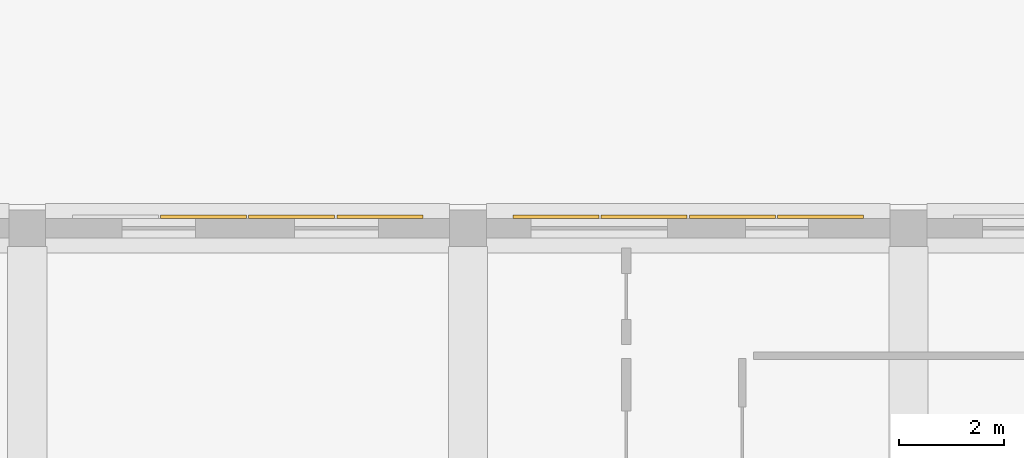
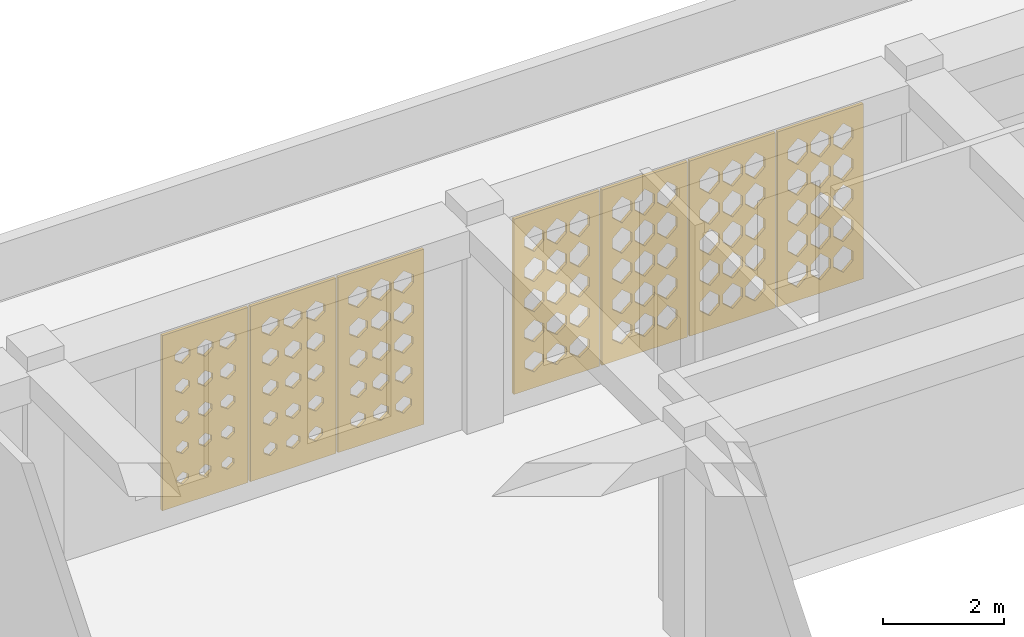
# One storey, part 42 of 47: 7 coverings.
"""IFC4 building model written with IfcOpenShell, lengths in metres."""

from ifc_helpers import new_model, si_unit, derived_unit, direction, frame, origin, place, context, subcontext, project, spatial, polyline, outline, extrude, material, layer, layer_set, type_object, element, save


model = new_model("IFC4")

# Units and contexts
model_context = context("Model", 3, precision=1e-05, world=origin(), true_north=direction((0.0, 1.0)))
body_context = subcontext(model_context, "Body", "Model", "MODEL_VIEW")
ifc_project = project(units=[si_unit("LENGTHUNIT", "METRE"), si_unit("AREAUNIT", "SQUARE_METRE"), si_unit("VOLUMEUNIT", "CUBIC_METRE"), si_unit("PLANEANGLEUNIT", "RADIAN"), si_unit("MASSUNIT", "GRAM", prefix="KILO"), derived_unit("THERMALTRANSMITTANCEUNIT", [(si_unit("POWERUNIT", "WATT"), 1), (si_unit("LENGTHUNIT", "METRE"), -2), (si_unit("THERMODYNAMICTEMPERATUREUNIT", "KELVIN"), -1)])], contexts=[model_context])

# Site, building, storey
site_placement = place(None, origin())
site = spatial("IfcSite", under=ifc_project, at=site_placement, CompositionType="ELEMENT")
building_placement = place(site_placement, origin())
building = spatial("IfcBuilding", under=site, at=building_placement, Name="Veybourne Emporium", CompositionType="ELEMENT")
storey_placement = place(building_placement, frame((0.0, 0.0, 23.39990234375)))
storey = spatial("IfcBuildingStorey", under=building, at=storey_placement, Name="L05", CompositionType="ELEMENT", Elevation=23.39990234375)

# Coverings
ifc_material = material(Name="Warm-White Perforated Aluminium Screen Alloy", Category="aluminium")
ifc_layer_1 = layer(ifc_material, 0.06005859375)
ifc_layer_set_1 = layer_set([ifc_layer_1], Name="Warm-White Perforated Aluminium Screen Alloy")
covering_type_1 = type_object("IfcCoveringType", Name="WaveScreen_SCR-01", PredefinedType="CLADDING", material=ifc_layer_set_1)
covering_1_placement = place(storey_placement, frame((53.760009765625, 86.64794921875, 1.830078125), z_axis=(0.0, -1.0, 0.0), x_axis=(1.0, 0.0, 0.0)))
element("IfcCovering", 1, at=covering_1_placement, inside=storey, type_object=covering_type_1, Name="L05 wave-perforated aluminium screen SCR-01 (37.2)", PredefinedType="CLADDING", context=body_context, shape_type="SweptSolid", body=[
    extrude(outline(polyline([(-0.81982421875, -1.77001953125), (0.81982421875, -1.77001953125), (0.81982421875, 1.77001953125), (-0.81982421875, 1.77001953125), (-0.81982421875, -1.77001953125)]), holes=[polyline([(-0.433349609375, -1.008544921875), (-0.2470703125, -1.15673828125), (-0.2470703125, -1.3232421875), (-0.433349609375, -1.471435546875), (-0.61962890625, -1.3232421875), (-0.61962890625, -1.15673828125), (-0.433349609375, -1.008544921875)]), polyline([(-0.433349609375, -0.376708984375), (-0.2470703125, -0.532470703125), (-0.2470703125, -0.70751953125), (-0.433349609375, -0.86328125), (-0.61962890625, -0.70751953125), (-0.61962890625, -0.532470703125), (-0.433349609375, -0.376708984375)]), polyline([(-0.433349609375, 0.25390625), (-0.2470703125, 0.09130859375), (-0.2470703125, -0.09130859375), (-0.433349609375, -0.25390625), (-0.61962890625, -0.09130859375), (-0.61962890625, 0.09130859375), (-0.433349609375, 0.25390625)]), polyline([(-0.433349609375, 0.882568359375), (-0.2470703125, 0.714599609375), (-0.2470703125, 0.525390625), (-0.433349609375, 0.357421875), (-0.61962890625, 0.525390625), (-0.61962890625, 0.714599609375), (-0.433349609375, 0.882568359375)]), polyline([(-0.433349609375, 1.506591796875), (-0.2470703125, 1.3359375), (-0.2470703125, 1.14404296875), (-0.433349609375, 0.973388671875), (-0.61962890625, 1.14404296875), (-0.61962890625, 1.3359375), (-0.433349609375, 1.506591796875)]), polyline([(0.0, -1.0029296875), (0.186279296875, -1.15478515625), (0.186279296875, -1.3251953125), (0.0, -1.47705078125), (-0.186279296875, -1.3251953125), (-0.186279296875, -1.15478515625), (0.0, -1.0029296875)]), polyline([(0.0, -0.37158203125), (0.186279296875, -0.530517578125), (0.186279296875, -0.70947265625), (0.0, -0.868408203125), (-0.186279296875, -0.70947265625), (-0.186279296875, -0.530517578125), (0.0, -0.37158203125)]), polyline([(0.0, 0.258056640625), (0.186279296875, 0.093017578125), (0.186279296875, -0.093017578125), (0.0, -0.258056640625), (-0.186279296875, -0.093017578125), (-0.186279296875, 0.093017578125), (0.0, 0.258056640625)]), polyline([(0.0, 0.8857421875), (0.186279296875, 0.715576171875), (0.186279296875, 0.5244140625), (0.0, 0.354248046875), (-0.186279296875, 0.5244140625), (-0.186279296875, 0.715576171875), (0.0, 0.8857421875)]), polyline([(0.0, 1.506591796875), (0.186279296875, 1.3359375), (0.186279296875, 1.14404296875), (0.0, 0.973388671875), (-0.186279296875, 1.14404296875), (-0.186279296875, 1.3359375), (0.0, 1.506591796875)]), polyline([(0.433349609375, -0.997802734375), (0.61962890625, -1.15283203125), (0.61962890625, -1.3271484375), (0.433349609375, -1.482421875), (0.2470703125, -1.3271484375), (0.2470703125, -1.15283203125), (0.433349609375, -0.997802734375)]), polyline([(0.433349609375, -0.3671875), (0.61962890625, -0.529052734375), (0.61962890625, -0.7109375), (0.433349609375, -0.872802734375), (0.2470703125, -0.7109375), (0.2470703125, -0.529052734375), (0.433349609375, -0.3671875)]), polyline([(0.433349609375, 0.26171875), (0.61962890625, 0.09423828125), (0.61962890625, -0.09423828125), (0.433349609375, -0.26171875), (0.2470703125, -0.09423828125), (0.2470703125, 0.09423828125), (0.433349609375, 0.26171875)]), polyline([(0.433349609375, 0.88671875), (0.61962890625, 0.716064453125), (0.61962890625, 0.52392578125), (0.433349609375, 0.353515625), (0.2470703125, 0.52392578125), (0.2470703125, 0.716064453125), (0.433349609375, 0.88671875)]), polyline([(0.433349609375, 1.506591796875), (0.61962890625, 1.3359375), (0.61962890625, 1.14404296875), (0.433349609375, 0.973388671875), (0.2470703125, 1.14404296875), (0.2470703125, 1.3359375), (0.433349609375, 1.506591796875)])]), origin(), (0.0, 0.0, 1.0), 0.06005859375),
])
ifc_layer_2 = layer(ifc_material, 0.06005859375)
ifc_layer_set_2 = layer_set([ifc_layer_2], Name="Warm-White Perforated Aluminium Screen Alloy")
covering_type_2 = type_object("IfcCoveringType", Name="WaveScreen_SCR-02", PredefinedType="CLADDING", material=ifc_layer_set_2)
covering_2_placement = place(storey_placement, frame((45.360107421875, 86.64794921875, 1.830078125), z_axis=(0.0, -1.0, 0.0), x_axis=(1.0, 0.0, 0.0)))
element("IfcCovering", 2, at=covering_2_placement, inside=storey, type_object=covering_type_2, Name="L05 wave-perforated aluminium screen SCR-02 (34.2)", PredefinedType="CLADDING", context=body_context, shape_type="SweptSolid", body=[
    extrude(outline(polyline([(-0.81982421875, -1.77001953125), (0.81982421875, -1.77001953125), (0.81982421875, 1.77001953125), (-0.81982421875, 1.77001953125), (-0.81982421875, -1.77001953125)]), holes=[polyline([(-0.433349609375, -1.117919921875), (-0.323486328125, -1.196044921875), (-0.323486328125, -1.283935546875), (-0.433349609375, -1.3623046875), (-0.543212890625, -1.283935546875), (-0.543212890625, -1.196044921875), (-0.433349609375, -1.117919921875)]), polyline([(-0.433349609375, -0.4892578125), (-0.31640625, -0.572998046875), (-0.31640625, -0.6669921875), (-0.433349609375, -0.750732421875), (-0.55029296875, -0.6669921875), (-0.55029296875, -0.572998046875), (-0.433349609375, -0.4892578125)]), polyline([(-0.433349609375, 0.14111328125), (-0.307861328125, 0.05078125), (-0.307861328125, -0.05078125), (-0.433349609375, -0.14111328125), (-0.55859375, -0.05078125), (-0.55859375, 0.05078125), (-0.433349609375, 0.14111328125)]), polyline([(-0.433349609375, 0.77294921875), (-0.298095703125, 0.675048828125), (-0.298095703125, 0.56494140625), (-0.433349609375, 0.467041015625), (-0.568603515625, 0.56494140625), (-0.568603515625, 0.675048828125), (-0.433349609375, 0.77294921875)]), polyline([(-0.433349609375, 1.406005859375), (-0.28759765625, 1.2998046875), (-0.28759765625, 1.18017578125), (-0.433349609375, 1.073974609375), (-0.5791015625, 1.18017578125), (-0.5791015625, 1.2998046875), (-0.433349609375, 1.406005859375)]), polyline([(0.0, -1.1142578125), (0.11279296875, -1.194580078125), (0.11279296875, -1.285400390625), (0.0, -1.36572265625), (-0.11279296875, -1.285400390625), (-0.11279296875, -1.194580078125), (0.0, -1.1142578125)]), polyline([(0.0, -0.48486328125), (0.12060546875, -0.5712890625), (0.12060546875, -0.668701171875), (0.0, -0.755126953125), (-0.12060546875, -0.668701171875), (-0.12060546875, -0.5712890625), (0.0, -0.48486328125)]), polyline([(0.0, 0.146240234375), (0.129638671875, 0.052490234375), (0.129638671875, -0.052490234375), (0.0, -0.146240234375), (-0.129638671875, -0.052490234375), (-0.129638671875, 0.052490234375), (0.0, 0.146240234375)]), polyline([(0.0, 0.77880859375), (0.139892578125, 0.677001953125), (0.139892578125, 0.56298828125), (0.0, 0.461181640625), (-0.139892578125, 0.56298828125), (-0.139892578125, 0.677001953125), (0.0, 0.77880859375)]), polyline([(0.0, 1.412109375), (0.15087890625, 1.302001953125), (0.15087890625, 1.177978515625), (0.0, 1.06787109375), (-0.15087890625, 1.177978515625), (-0.15087890625, 1.302001953125), (0.0, 1.412109375)]), polyline([(0.433349609375, -1.1103515625), (0.549560546875, -1.193359375), (0.549560546875, -1.28662109375), (0.433349609375, -1.36962890625), (0.317138671875, -1.28662109375), (0.317138671875, -1.193359375), (0.433349609375, -1.1103515625)]), polyline([(0.433349609375, -0.47998046875), (0.557861328125, -0.569580078125), (0.557861328125, -0.67041015625), (0.433349609375, -0.760009765625), (0.308837890625, -0.67041015625), (0.308837890625, -0.569580078125), (0.433349609375, -0.47998046875)]), polyline([(0.433349609375, 0.151611328125), (0.5673828125, 0.0546875), (0.5673828125, -0.0546875), (0.433349609375, -0.151611328125), (0.29931640625, -0.0546875), (0.29931640625, 0.0546875), (0.433349609375, 0.151611328125)]), polyline([(0.433349609375, 0.78466796875), (0.578125, 0.67919921875), (0.578125, 0.560791015625), (0.433349609375, 0.455322265625), (0.28857421875, 0.560791015625), (0.28857421875, 0.67919921875), (0.433349609375, 0.78466796875)]), polyline([(0.433349609375, 1.41845703125), (0.58935546875, 1.30419921875), (0.58935546875, 1.17578125), (0.433349609375, 1.0615234375), (0.27734375, 1.17578125), (0.27734375, 1.30419921875), (0.433349609375, 1.41845703125)])]), origin(), (0.0, 0.0, 1.0), 0.06005859375),
])
covering_3_placement = place(storey_placement, frame((55.43994140625, 86.64794921875, 1.830078125), z_axis=(0.0, -1.0, 0.0), x_axis=(1.0, 0.0, 0.0)))
element("IfcCovering", 3, at=covering_3_placement, inside=storey, type_object=covering_type_2, Name="L05 wave-perforated aluminium screen SCR-02 (37.3)", PredefinedType="CLADDING", context=body_context, shape_type="SweptSolid", body=[
    extrude(outline(polyline([(-0.81982421875, -1.77001953125), (0.81982421875, -1.77001953125), (0.81982421875, 1.77001953125), (-0.81982421875, 1.77001953125), (-0.81982421875, -1.77001953125)]), holes=[polyline([(-0.433349609375, -0.98876953125), (-0.2470703125, -1.1494140625), (-0.2470703125, -1.33056640625), (-0.433349609375, -1.4912109375), (-0.61962890625, -1.33056640625), (-0.61962890625, -1.1494140625), (-0.433349609375, -0.98876953125)]), polyline([(-0.433349609375, -0.359619140625), (-0.2470703125, -0.526123046875), (-0.2470703125, -0.7138671875), (-0.433349609375, -0.88037109375), (-0.61962890625, -0.7138671875), (-0.61962890625, -0.526123046875), (-0.433349609375, -0.359619140625)]), polyline([(-0.433349609375, 0.2666015625), (-0.2470703125, 0.095947265625), (-0.2470703125, -0.095947265625), (-0.433349609375, -0.2666015625), (-0.61962890625, -0.095947265625), (-0.61962890625, 0.095947265625), (-0.433349609375, 0.2666015625)]), polyline([(-0.433349609375, 0.88671875), (-0.2470703125, 0.716064453125), (-0.2470703125, 0.52392578125), (-0.433349609375, 0.353515625), (-0.61962890625, 0.52392578125), (-0.61962890625, 0.716064453125), (-0.433349609375, 0.88671875)]), polyline([(-0.433349609375, 1.506591796875), (-0.2470703125, 1.3359375), (-0.2470703125, 1.14404296875), (-0.433349609375, 0.973388671875), (-0.61962890625, 1.14404296875), (-0.61962890625, 1.3359375), (-0.433349609375, 1.506591796875)]), polyline([(0.0, -0.984375), (0.186279296875, -1.14794921875), (0.186279296875, -1.33203125), (0.0, -1.49560546875), (-0.186279296875, -1.33203125), (-0.186279296875, -1.14794921875), (0.0, -0.984375)]), polyline([(0.0, -0.356201171875), (0.186279296875, -0.52490234375), (0.186279296875, -0.715087890625), (0.0, -0.8837890625), (-0.186279296875, -0.715087890625), (-0.186279296875, -0.52490234375), (0.0, -0.356201171875)]), polyline([(0.0, 0.2666015625), (0.186279296875, 0.095947265625), (0.186279296875, -0.095947265625), (0.0, -0.2666015625), (-0.186279296875, -0.095947265625), (-0.186279296875, 0.095947265625), (0.0, 0.2666015625)]), polyline([(0.0, 0.88671875), (0.186279296875, 0.716064453125), (0.186279296875, 0.52392578125), (0.0, 0.353515625), (-0.186279296875, 0.52392578125), (-0.186279296875, 0.716064453125), (0.0, 0.88671875)]), polyline([(0.0, 1.506591796875), (0.186279296875, 1.3359375), (0.186279296875, 1.14404296875), (0.0, 0.973388671875), (-0.186279296875, 1.14404296875), (-0.186279296875, 1.3359375), (0.0, 1.506591796875)]), polyline([(0.433349609375, -0.98046875), (0.61962890625, -1.146484375), (0.61962890625, -1.33349609375), (0.433349609375, -1.49951171875), (0.2470703125, -1.33349609375), (0.2470703125, -1.146484375), (0.433349609375, -0.98046875)]), polyline([(0.433349609375, -0.353515625), (0.61962890625, -0.52392578125), (0.61962890625, -0.716064453125), (0.433349609375, -0.88671875), (0.2470703125, -0.716064453125), (0.2470703125, -0.52392578125), (0.433349609375, -0.353515625)]), polyline([(0.433349609375, 0.2666015625), (0.61962890625, 0.095947265625), (0.61962890625, -0.095947265625), (0.433349609375, -0.2666015625), (0.2470703125, -0.095947265625), (0.2470703125, 0.095947265625), (0.433349609375, 0.2666015625)]), polyline([(0.433349609375, 0.88671875), (0.61962890625, 0.716064453125), (0.61962890625, 0.52392578125), (0.433349609375, 0.353515625), (0.2470703125, 0.52392578125), (0.2470703125, 0.716064453125), (0.433349609375, 0.88671875)]), polyline([(0.433349609375, 1.506591796875), (0.61962890625, 1.3359375), (0.61962890625, 1.14404296875), (0.433349609375, 0.973388671875), (0.2470703125, 1.14404296875), (0.2470703125, 1.3359375), (0.433349609375, 1.506591796875)])]), origin(), (0.0, 0.0, 1.0), 0.06005859375),
])
ifc_layer_3 = layer(ifc_material, 0.06005859375)
ifc_layer_set_3 = layer_set([ifc_layer_3], Name="Warm-White Perforated Aluminium Screen Alloy")
covering_type_3 = type_object("IfcCoveringType", Name="WaveScreen_SCR-03", PredefinedType="CLADDING", material=ifc_layer_set_3)
covering_4_placement = place(storey_placement, frame((47.0400390625, 86.64794921875, 1.830078125), z_axis=(0.0, -1.0, 0.0), x_axis=(1.0, 0.0, 0.0)))
element("IfcCovering", 4, at=covering_4_placement, inside=storey, type_object=covering_type_3, Name="L05 wave-perforated aluminium screen SCR-03 (34.3)", PredefinedType="CLADDING", context=body_context, shape_type="SweptSolid", body=[
    extrude(outline(polyline([(-0.81982421875, -1.77001953125), (0.81982421875, -1.77001953125), (0.81982421875, 1.77001953125), (-0.81982421875, 1.77001953125), (-0.81982421875, -1.77001953125)]), holes=[polyline([(-0.433349609375, -1.101806640625), (-0.310302734375, -1.190185546875), (-0.310302734375, -1.289794921875), (-0.433349609375, -1.378173828125), (-0.556396484375, -1.289794921875), (-0.556396484375, -1.190185546875), (-0.433349609375, -1.101806640625)]), polyline([(-0.433349609375, -0.47021484375), (-0.30078125, -0.566162109375), (-0.30078125, -0.673828125), (-0.433349609375, -0.769775390625), (-0.56591796875, -0.673828125), (-0.56591796875, -0.566162109375), (-0.433349609375, -0.47021484375)]), polyline([(-0.433349609375, 0.16259765625), (-0.290283203125, 0.05859375), (-0.290283203125, -0.05859375), (-0.433349609375, -0.16259765625), (-0.576416015625, -0.05859375), (-0.576416015625, 0.05859375), (-0.433349609375, 0.16259765625)]), polyline([(-0.433349609375, 0.79638671875), (-0.279052734375, 0.68359375), (-0.279052734375, 0.556396484375), (-0.433349609375, 0.443603515625), (-0.587646484375, 0.556396484375), (-0.587646484375, 0.68359375), (-0.433349609375, 0.79638671875)]), polyline([(-0.433349609375, 1.430419921875), (-0.267333984375, 1.30859375), (-0.267333984375, 1.17138671875), (-0.433349609375, 1.049560546875), (-0.59912109375, 1.17138671875), (-0.59912109375, 1.30859375), (-0.433349609375, 1.430419921875)]), polyline([(0.0, -1.0966796875), (0.127197265625, -1.1884765625), (0.127197265625, -1.29150390625), (0.0, -1.38330078125), (-0.127197265625, -1.29150390625), (-0.127197265625, -1.1884765625), (0.0, -1.0966796875)]), polyline([(0.0, -0.464599609375), (0.13720703125, -0.564208984375), (0.13720703125, -0.67578125), (0.0, -0.775390625), (-0.13720703125, -0.67578125), (-0.13720703125, -0.564208984375), (0.0, -0.464599609375)]), polyline([(0.0, 0.168701171875), (0.14794921875, 0.060791015625), (0.14794921875, -0.060791015625), (0.0, -0.168701171875), (-0.14794921875, -0.060791015625), (-0.14794921875, 0.060791015625), (0.0, 0.168701171875)]), polyline([(0.0, 0.802734375), (0.159423828125, 0.685791015625), (0.159423828125, 0.55419921875), (0.0, 0.437255859375), (-0.159423828125, 0.55419921875), (-0.159423828125, 0.685791015625), (0.0, 0.802734375)]), polyline([(0.0, 1.43701171875), (0.171142578125, 1.310791015625), (0.171142578125, 1.169189453125), (0.0, 1.04296875), (-0.171142578125, 1.169189453125), (-0.171142578125, 1.310791015625), (0.0, 1.43701171875)]), polyline([(0.433349609375, -1.091552734375), (0.564697265625, -1.1865234375), (0.564697265625, -1.29345703125), (0.433349609375, -1.388427734375), (0.3017578125, -1.29345703125), (0.3017578125, -1.1865234375), (0.433349609375, -1.091552734375)]), polyline([(0.433349609375, -0.458740234375), (0.5751953125, -0.56201171875), (0.5751953125, -0.677978515625), (0.433349609375, -0.78125), (0.29150390625, -0.677978515625), (0.29150390625, -0.56201171875), (0.433349609375, -0.458740234375)]), polyline([(0.433349609375, 0.1748046875), (0.58642578125, 0.06298828125), (0.58642578125, -0.06298828125), (0.433349609375, -0.1748046875), (0.2802734375, -0.06298828125), (0.2802734375, 0.06298828125), (0.433349609375, 0.1748046875)]), polyline([(0.433349609375, 0.80908203125), (0.597900390625, 0.68798828125), (0.597900390625, 0.552001953125), (0.433349609375, 0.430908203125), (0.2685546875, 0.552001953125), (0.2685546875, 0.68798828125), (0.433349609375, 0.80908203125)]), polyline([(0.433349609375, 1.443359375), (0.609619140625, 1.313232421875), (0.609619140625, 1.166748046875), (0.433349609375, 1.03662109375), (0.2568359375, 1.166748046875), (0.2568359375, 1.313232421875), (0.433349609375, 1.443359375)])]), origin(), (0.0, 0.0, 1.0), 0.06005859375),
])
covering_5_placement = place(storey_placement, frame((57.1201171875, 86.64794921875, 1.830078125), z_axis=(0.0, -1.0, 0.0), x_axis=(1.0, 0.0, 0.0)))
element("IfcCovering", 5, at=covering_5_placement, inside=storey, type_object=covering_type_3, Name="L05 wave-perforated aluminium screen SCR-03 (37.4)", PredefinedType="CLADDING", context=body_context, shape_type="SweptSolid", body=[
    extrude(outline(polyline([(-0.81982421875, -1.77001953125), (0.81982421875, -1.77001953125), (0.81982421875, 1.77001953125), (-0.81982421875, 1.77001953125), (-0.81982421875, -1.77001953125)]), holes=[polyline([(-0.433349609375, -0.97412109375), (-0.2470703125, -1.144287109375), (-0.2470703125, -1.335693359375), (-0.433349609375, -1.505859375), (-0.61962890625, -1.335693359375), (-0.61962890625, -1.144287109375), (-0.433349609375, -0.97412109375)]), polyline([(-0.433349609375, -0.353515625), (-0.2470703125, -0.52392578125), (-0.2470703125, -0.716064453125), (-0.433349609375, -0.88671875), (-0.61962890625, -0.716064453125), (-0.61962890625, -0.52392578125), (-0.433349609375, -0.353515625)]), polyline([(-0.433349609375, 0.2666015625), (-0.2470703125, 0.095947265625), (-0.2470703125, -0.095947265625), (-0.433349609375, -0.2666015625), (-0.61962890625, -0.095947265625), (-0.61962890625, 0.095947265625), (-0.433349609375, 0.2666015625)]), polyline([(-0.433349609375, 0.88671875), (-0.2470703125, 0.716064453125), (-0.2470703125, 0.52392578125), (-0.433349609375, 0.353515625), (-0.61962890625, 0.52392578125), (-0.61962890625, 0.716064453125), (-0.433349609375, 0.88671875)]), polyline([(-0.433349609375, 1.506591796875), (-0.2470703125, 1.3359375), (-0.2470703125, 1.14404296875), (-0.433349609375, 0.973388671875), (-0.61962890625, 1.14404296875), (-0.61962890625, 1.3359375), (-0.433349609375, 1.506591796875)]), polyline([(0.0, -0.973388671875), (0.186279296875, -1.14404296875), (0.186279296875, -1.3359375), (0.0, -1.506591796875), (-0.186279296875, -1.3359375), (-0.186279296875, -1.14404296875), (0.0, -0.973388671875)]), polyline([(0.0, -0.353515625), (0.186279296875, -0.52392578125), (0.186279296875, -0.716064453125), (0.0, -0.88671875), (-0.186279296875, -0.716064453125), (-0.186279296875, -0.52392578125), (0.0, -0.353515625)]), polyline([(0.0, 0.2666015625), (0.186279296875, 0.095947265625), (0.186279296875, -0.095947265625), (0.0, -0.2666015625), (-0.186279296875, -0.095947265625), (-0.186279296875, 0.095947265625), (0.0, 0.2666015625)]), polyline([(0.0, 0.88671875), (0.186279296875, 0.716064453125), (0.186279296875, 0.52392578125), (0.0, 0.353515625), (-0.186279296875, 0.52392578125), (-0.186279296875, 0.716064453125), (0.0, 0.88671875)]), polyline([(0.0, 1.506591796875), (0.186279296875, 1.3359375), (0.186279296875, 1.14404296875), (0.0, 0.973388671875), (-0.186279296875, 1.14404296875), (-0.186279296875, 1.3359375), (0.0, 1.506591796875)]), polyline([(0.433349609375, -0.973388671875), (0.61962890625, -1.14404296875), (0.61962890625, -1.3359375), (0.433349609375, -1.506591796875), (0.2470703125, -1.3359375), (0.2470703125, -1.14404296875), (0.433349609375, -0.973388671875)]), polyline([(0.433349609375, -0.353515625), (0.61962890625, -0.52392578125), (0.61962890625, -0.716064453125), (0.433349609375, -0.88671875), (0.2470703125, -0.716064453125), (0.2470703125, -0.52392578125), (0.433349609375, -0.353515625)]), polyline([(0.433349609375, 0.2666015625), (0.61962890625, 0.095947265625), (0.61962890625, -0.095947265625), (0.433349609375, -0.2666015625), (0.2470703125, -0.095947265625), (0.2470703125, 0.095947265625), (0.433349609375, 0.2666015625)]), polyline([(0.433349609375, 0.88671875), (0.61962890625, 0.716064453125), (0.61962890625, 0.52392578125), (0.433349609375, 0.353515625), (0.2470703125, 0.52392578125), (0.2470703125, 0.716064453125), (0.433349609375, 0.88671875)]), polyline([(0.433349609375, 1.506591796875), (0.61962890625, 1.3359375), (0.61962890625, 1.14404296875), (0.433349609375, 0.973388671875), (0.2470703125, 1.14404296875), (0.2470703125, 1.3359375), (0.433349609375, 1.506591796875)])]), origin(), (0.0, 0.0, 1.0), 0.06005859375),
])
ifc_layer_4 = layer(ifc_material, 0.06005859375)
ifc_layer_set_4 = layer_set([ifc_layer_4], Name="Warm-White Perforated Aluminium Screen Alloy")
covering_type_4 = type_object("IfcCoveringType", Name="WaveScreen_SCR-04", PredefinedType="CLADDING", material=ifc_layer_set_4)
covering_6_placement = place(storey_placement, frame((48.719970703125, 86.64794921875, 1.830078125), z_axis=(0.0, -1.0, 0.0), x_axis=(1.0, 0.0, 0.0)))
element("IfcCovering", 6, at=covering_6_placement, inside=storey, type_object=covering_type_4, Name="L05 wave-perforated aluminium screen SCR-04 (34.4)", PredefinedType="CLADDING", context=body_context, shape_type="SweptSolid", body=[
    extrude(outline(polyline([(-0.81982421875, -1.77001953125), (0.81982421875, -1.77001953125), (0.81982421875, 1.77001953125), (-0.81982421875, 1.77001953125), (-0.81982421875, -1.77001953125)]), holes=[polyline([(-0.433349609375, -1.080810546875), (-0.293212890625, -1.1826171875), (-0.293212890625, -1.29736328125), (-0.433349609375, -1.399169921875), (-0.573486328125, -1.29736328125), (-0.573486328125, -1.1826171875), (-0.433349609375, -1.080810546875)]), polyline([(-0.433349609375, -0.447265625), (-0.281982421875, -0.557861328125), (-0.281982421875, -0.68212890625), (-0.433349609375, -0.792724609375), (-0.584716796875, -0.68212890625), (-0.584716796875, -0.557861328125), (-0.433349609375, -0.447265625)]), polyline([(-0.433349609375, 0.186767578125), (-0.2705078125, 0.0673828125), (-0.2705078125, -0.0673828125), (-0.433349609375, -0.186767578125), (-0.59619140625, -0.0673828125), (-0.59619140625, 0.0673828125), (-0.433349609375, 0.186767578125)]), polyline([(-0.433349609375, 0.821044921875), (-0.2587890625, 0.6923828125), (-0.2587890625, 0.547607421875), (-0.433349609375, 0.4189453125), (-0.60791015625, 0.547607421875), (-0.60791015625, 0.6923828125), (-0.433349609375, 0.821044921875)]), polyline([(-0.433349609375, 1.455078125), (-0.247314453125, 1.3173828125), (-0.247314453125, 1.16259765625), (-0.433349609375, 1.02490234375), (-0.619384765625, 1.16259765625), (-0.619384765625, 1.3173828125), (-0.433349609375, 1.455078125)]), polyline([(0.0, -1.07470703125), (0.14501953125, -1.180419921875), (0.14501953125, -1.299560546875), (0.0, -1.4052734375), (-0.14501953125, -1.299560546875), (-0.14501953125, -1.180419921875), (0.0, -1.07470703125)]), polyline([(0.0, -0.44091796875), (0.156494140625, -0.5556640625), (0.156494140625, -0.684326171875), (0.0, -0.799072265625), (-0.156494140625, -0.684326171875), (-0.156494140625, -0.5556640625), (0.0, -0.44091796875)]), polyline([(0.0, 0.193359375), (0.168212890625, 0.069580078125), (0.168212890625, -0.069580078125), (0.0, -0.193359375), (-0.168212890625, -0.069580078125), (-0.168212890625, 0.069580078125), (0.0, 0.193359375)]), polyline([(0.0, 0.827392578125), (0.1796875, 0.694580078125), (0.1796875, 0.54541015625), (0.0, 0.41259765625), (-0.1796875, 0.54541015625), (-0.1796875, 0.694580078125), (0.0, 0.827392578125)]), polyline([(0.0, 1.461181640625), (0.186279296875, 1.319580078125), (0.186279296875, 1.160400390625), (0.0, 1.018798828125), (-0.186279296875, 1.160400390625), (-0.186279296875, 1.319580078125), (0.0, 1.461181640625)]), polyline([(0.433349609375, -1.068603515625), (0.58349609375, -1.17822265625), (0.58349609375, -1.3017578125), (0.433349609375, -1.411376953125), (0.283203125, -1.3017578125), (0.283203125, -1.17822265625), (0.433349609375, -1.068603515625)]), polyline([(0.433349609375, -0.4345703125), (0.594970703125, -0.55322265625), (0.594970703125, -0.686767578125), (0.433349609375, -0.805419921875), (0.271728515625, -0.686767578125), (0.271728515625, -0.55322265625), (0.433349609375, -0.4345703125)]), polyline([(0.433349609375, 0.19970703125), (0.606689453125, 0.072021484375), (0.606689453125, -0.072021484375), (0.433349609375, -0.19970703125), (0.260009765625, -0.072021484375), (0.260009765625, 0.072021484375), (0.433349609375, 0.19970703125)]), polyline([(0.433349609375, 0.833740234375), (0.6181640625, 0.697021484375), (0.6181640625, 0.54296875), (0.433349609375, 0.40625), (0.248291015625, 0.54296875), (0.248291015625, 0.697021484375), (0.433349609375, 0.833740234375)]), polyline([(0.433349609375, 1.46728515625), (0.61962890625, 1.32177734375), (0.61962890625, 1.158203125), (0.433349609375, 1.0126953125), (0.2470703125, 1.158203125), (0.2470703125, 1.32177734375), (0.433349609375, 1.46728515625)])]), origin(), (0.0, 0.0, 1.0), 0.06005859375),
])
covering_7_placement = place(storey_placement, frame((52.080078125, 86.64794921875, 1.830078125), z_axis=(0.0, -1.0, 0.0), x_axis=(1.0, 0.0, 0.0)))
element("IfcCovering", 7, at=covering_7_placement, inside=storey, type_object=covering_type_4, Name="L05 wave-perforated aluminium screen SCR-04 (37.1)", PredefinedType="CLADDING", context=body_context, shape_type="SweptSolid", body=[
    extrude(outline(polyline([(-0.81982421875, -1.77001953125), (0.81982421875, -1.77001953125), (0.81982421875, 1.77001953125), (-0.81982421875, 1.77001953125), (-0.81982421875, -1.77001953125)]), holes=[polyline([(-0.433349609375, -1.031982421875), (-0.253173828125, -1.1650390625), (-0.253173828125, -1.31494140625), (-0.433349609375, -1.447998046875), (-0.613525390625, -1.31494140625), (-0.613525390625, -1.1650390625), (-0.433349609375, -1.031982421875)]), polyline([(-0.433349609375, -0.398193359375), (-0.2470703125, -0.540283203125), (-0.2470703125, -0.69970703125), (-0.433349609375, -0.841796875), (-0.61962890625, -0.69970703125), (-0.61962890625, -0.540283203125), (-0.433349609375, -0.398193359375)]), polyline([(-0.433349609375, 0.234619140625), (-0.2470703125, 0.08447265625), (-0.2470703125, -0.08447265625), (-0.433349609375, -0.234619140625), (-0.61962890625, -0.08447265625), (-0.61962890625, 0.08447265625), (-0.433349609375, 0.234619140625)]), polyline([(-0.433349609375, 0.8662109375), (-0.2470703125, 0.708740234375), (-0.2470703125, 0.53125), (-0.433349609375, 0.373779296875), (-0.61962890625, 0.53125), (-0.61962890625, 0.708740234375), (-0.433349609375, 0.8662109375)]), polyline([(-0.433349609375, 1.496337890625), (-0.2470703125, 1.332275390625), (-0.2470703125, 1.147705078125), (-0.433349609375, 0.983642578125), (-0.61962890625, 1.147705078125), (-0.61962890625, 1.332275390625), (-0.433349609375, 1.496337890625)]), polyline([(0.0, -1.025634765625), (0.185302734375, -1.162841796875), (0.185302734375, -1.317138671875), (0.0, -1.454345703125), (-0.185302734375, -1.317138671875), (-0.185302734375, -1.162841796875), (0.0, -1.025634765625)]), polyline([(0.0, -0.392333984375), (0.186279296875, -0.5380859375), (0.186279296875, -0.701904296875), (0.0, -0.84765625), (-0.186279296875, -0.701904296875), (-0.186279296875, -0.5380859375), (0.0, -0.392333984375)]), polyline([(0.0, 0.239990234375), (0.186279296875, 0.08642578125), (0.186279296875, -0.08642578125), (0.0, -0.239990234375), (-0.186279296875, -0.08642578125), (-0.186279296875, 0.08642578125), (0.0, 0.239990234375)]), polyline([(0.0, 0.87109375), (0.186279296875, 0.710205078125), (0.186279296875, 0.52978515625), (0.0, 0.368896484375), (-0.186279296875, 0.52978515625), (-0.186279296875, 0.710205078125), (0.0, 0.87109375)]), polyline([(0.0, 1.5), (0.186279296875, 1.333740234375), (0.186279296875, 1.146240234375), (0.0, 0.97998046875), (-0.186279296875, 1.146240234375), (-0.186279296875, 1.333740234375), (0.0, 1.5)]), polyline([(0.433349609375, -1.01953125), (0.61962890625, -1.16064453125), (0.61962890625, -1.3193359375), (0.433349609375, -1.46044921875), (0.2470703125, -1.3193359375), (0.2470703125, -1.16064453125), (0.433349609375, -1.01953125)]), polyline([(0.433349609375, -0.38671875), (0.61962890625, -0.535888671875), (0.61962890625, -0.7041015625), (0.433349609375, -0.853515625), (0.2470703125, -0.7041015625), (0.2470703125, -0.535888671875), (0.433349609375, -0.38671875)]), polyline([(0.433349609375, 0.2451171875), (0.61962890625, 0.08837890625), (0.61962890625, -0.08837890625), (0.433349609375, -0.2451171875), (0.2470703125, -0.08837890625), (0.2470703125, 0.08837890625), (0.433349609375, 0.2451171875)]), polyline([(0.433349609375, 0.875244140625), (0.61962890625, 0.7119140625), (0.61962890625, 0.528076171875), (0.433349609375, 0.36474609375), (0.2470703125, 0.528076171875), (0.2470703125, 0.7119140625), (0.433349609375, 0.875244140625)]), polyline([(0.433349609375, 1.503662109375), (0.61962890625, 1.3349609375), (0.61962890625, 1.14501953125), (0.433349609375, 0.976318359375), (0.2470703125, 1.14501953125), (0.2470703125, 1.3349609375), (0.433349609375, 1.503662109375)])]), origin(), (0.0, 0.0, 1.0), 0.06005859375),
])

save(model, "model.ifc")
